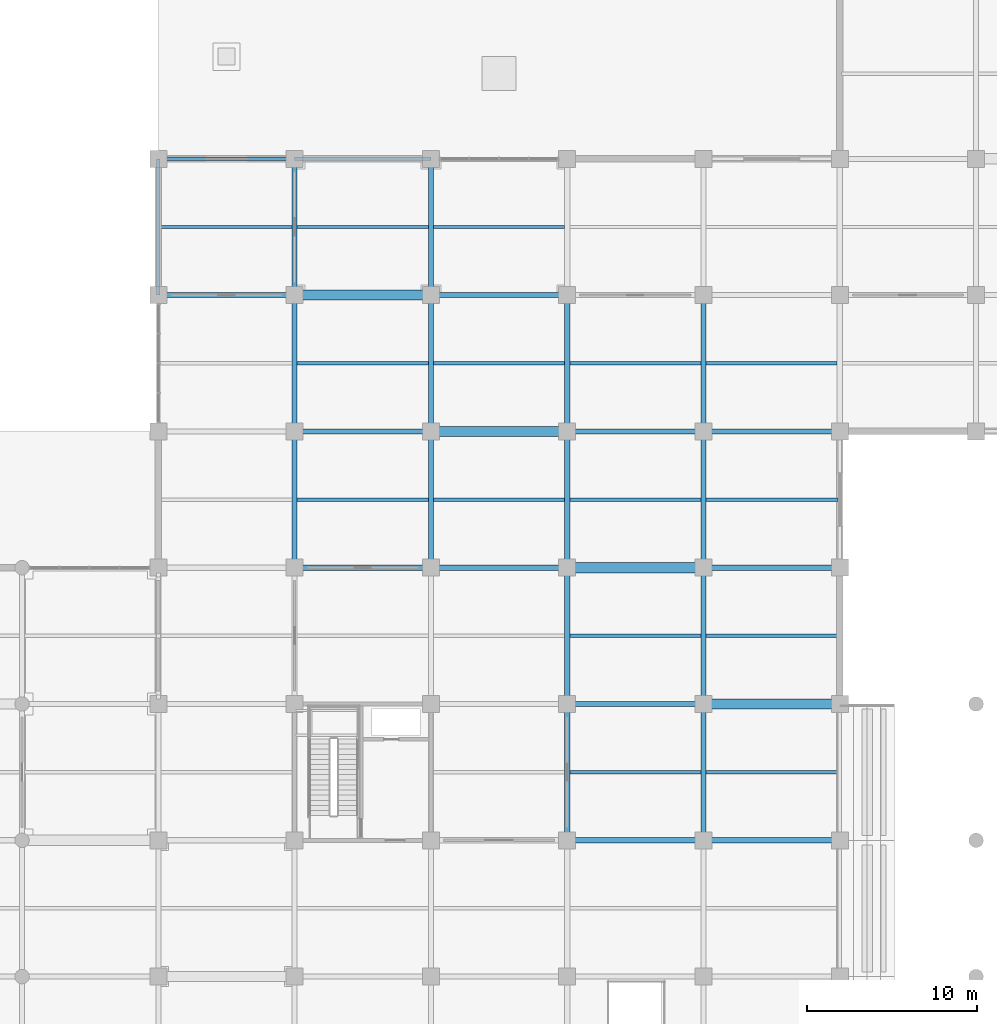
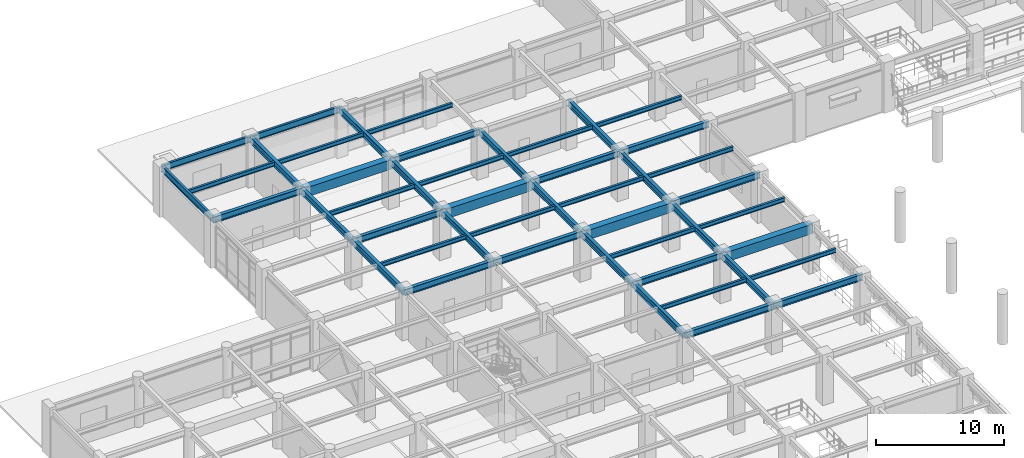
# One storey, part 43 of 117: 47 beams.
"""IFC4 building model written with IfcOpenShell, lengths in metres."""

from ifc_helpers import new_model, si_unit, direction, frame, origin, origin_2d, place, context, subcontext, project, spatial, rectangle, i_section, extrude, material, material_profile, profile_set, type_object, element, save


model = new_model("IFC4")

# Units and contexts
model_context = context("Model", 3, precision=1e-05, world=origin(), true_north=direction((0.0, 1.0)))
body_context = subcontext(model_context, "Body", "Model", "MODEL_VIEW")
ifc_project = project(units=[si_unit("LENGTHUNIT", "METRE"), si_unit("AREAUNIT", "SQUARE_METRE"), si_unit("VOLUMEUNIT", "CUBIC_METRE"), si_unit("PLANEANGLEUNIT", "RADIAN"), si_unit("MASSUNIT", "GRAM", prefix="KILO")], contexts=[model_context])

# Site, building, storey
site_placement = place(None, origin())
site = spatial("IfcSite", under=ifc_project, at=site_placement, CompositionType="ELEMENT")
building_placement = place(site_placement, origin())
building = spatial("IfcBuilding", under=site, at=building_placement, Name="Haebicheon Civic Stadium", CompositionType="ELEMENT")
storey_placement = place(building_placement, frame((0.0, 0.0, 4.800048828125)))
storey = spatial("IfcBuildingStorey", under=building, at=storey_placement, Name="L02", CompositionType="ELEMENT", Elevation=4.800048828125)

# Beams
ifc_material_1 = material(Name="Concrete C40/50", Category="concrete")
ifc_material_profile_1 = material_profile(ifc_material_1, rectangle(XDim=0.60009765625, YDim=0.89990234375, at=origin_2d()), Name="RC-BM-600x900")
ifc_profile_set_1 = profile_set([ifc_material_profile_1], Name="Concrete C40/50")
beam_type_1 = type_object("IfcBeamType", Name="BM-RC-600x900", PredefinedType="BEAM", material=ifc_profile_set_1)
for number, where, z_axis, x_axis, name in (
    (1, (32.0, 160.0, 4.070068359375), (1.0, 0.0, 0.0), (0.0, 1.0, 0.0), "L02 beam W/5-6"),
    (2, (40.0, 152.0, 4.070068359375), (1.0, 0.0, 0.0), (0.0, 1.0, 0.0), "L02 beam V/6-7"),
    (3, (48.0, 144.0, 4.070068359375), (1.0, 0.0, 0.0), (0.0, 1.0, 0.0), "L02 beam U/7-8"),
    (4, (56.0, 136.0, 4.070068359375), (1.0, 0.0, 0.0), (0.0, 1.0, 0.0), "L02 beam T/8-9"),
):
    element("IfcBeam", number, at=place(storey_placement, frame(where, z_axis=z_axis, x_axis=x_axis)), inside=storey, type_object=beam_type_1, material=ifc_profile_set_1, Name=name, PredefinedType="BEAM", context=body_context, shape_type="SweptSolid", body=[
        extrude(rectangle(XDim=0.60009765625, YDim=0.89990234375, at=origin_2d()), origin(), (0.0, 0.0, 1.0), 8.0),
    ])
ifc_material_2 = material(Name="Steel SM355 (S355)", Category="steel")
ifc_material_profile_2 = material_profile(ifc_material_2, i_section(OverallWidth=0.300048828125, OverallDepth=0.60009765625, WebThickness=0.011962890625, FlangeThickness=0.02001953125, at=origin_2d()), Name="H-600x300x12x20")
ifc_profile_set_2 = profile_set([ifc_material_profile_2], Name="Steel SM355 (S355)")
beam_type_2 = type_object("IfcBeamType", Name="BM-ST-H600A", PredefinedType="BEAM", material=ifc_profile_set_2)
for number, where, z_axis, x_axis, name in (
    (5, (32.0, 144.0, 4.219970703125), (0.0, 1.0, 0.0), (-1.0, 0.0, 0.0), "L02 girder 5/U-V"),
    (6, (32.0, 152.0, 4.219970703125), (0.0, 1.0, 0.0), (-1.0, 0.0, 0.0), "L02 girder 5/V-W"),
    (7, (32.0, 160.0, 4.280029296875), (0.0, 1.0, 0.0), (-1.0, 0.0, 0.0), "L02 girder 5/W-X"),
    (8, (40.0, 144.0, 4.219970703125), (0.0, 1.0, 0.0), (-1.0, 0.0, 0.0), "L02 girder 6/U-V"),
    (9, (40.0, 152.0, 4.219970703125), (0.0, 1.0, 0.0), (-1.0, 0.0, 0.0), "L02 girder 6/V-W"),
    (10, (40.0, 160.0, 4.280029296875), (0.0, 1.0, 0.0), (-1.0, 0.0, 0.0), "L02 girder 6/W-X"),
    (11, (48.0, 128.0, 4.219970703125), (0.0, 1.0, 0.0), (-1.0, 0.0, 0.0), "L02 girder 7/S-T"),
    (12, (48.0, 136.0, 4.219970703125), (0.0, 1.0, 0.0), (-1.0, 0.0, 0.0), "L02 girder 7/T-U"),
    (13, (48.0, 144.0, 4.219970703125), (0.0, 1.0, 0.0), (-1.0, 0.0, 0.0), "L02 girder 7/U-V"),
    (14, (48.0, 152.0, 4.219970703125), (0.0, 1.0, 0.0), (-1.0, 0.0, 0.0), "L02 girder 7/V-W"),
    (15, (56.0, 128.0, 4.219970703125), (0.0, 1.0, 0.0), (-1.0, 0.0, 0.0), "L02 girder 8/S-T"),
    (16, (56.0, 136.0, 4.219970703125), (0.0, 1.0, 0.0), (-1.0, 0.0, 0.0), "L02 girder 8/T-U"),
    (17, (56.0, 144.0, 4.219970703125), (0.0, 1.0, 0.0), (-1.0, 0.0, 0.0), "L02 girder 8/U-V"),
    (18, (56.0, 152.0, 4.219970703125), (0.0, 1.0, 0.0), (-1.0, 0.0, 0.0), "L02 girder 8/V-W"),
    (19, (24.0, 160.0, 4.219970703125), (1.0, 0.0, 0.0), (0.0, 1.0, 0.0), "L02 beam W/4-5"),
    (20, (32.0, 144.0, 4.219970703125), (1.0, 0.0, 0.0), (0.0, 1.0, 0.0), "L02 beam U/5-6"),
    (21, (32.0, 152.0, 4.219970703125), (1.0, 0.0, 0.0), (0.0, 1.0, 0.0), "L02 beam V/5-6"),
    (22, (40.0, 144.0, 4.219970703125), (1.0, 0.0, 0.0), (0.0, 1.0, 0.0), "L02 beam U/6-7"),
    (23, (40.0, 160.0, 4.219970703125), (1.0, 0.0, 0.0), (0.0, 1.0, 0.0), "L02 beam W/6-7"),
    (24, (48.0, 128.0, 4.219970703125), (1.0, 0.0, 0.0), (0.0, 1.0, 0.0), "L02 beam S/7-8"),
    (25, (48.0, 136.0, 4.219970703125), (1.0, 0.0, 0.0), (0.0, 1.0, 0.0), "L02 beam T/7-8"),
    (26, (48.0, 152.0, 4.219970703125), (1.0, 0.0, 0.0), (0.0, 1.0, 0.0), "L02 beam V/7-8"),
    (27, (56.0, 128.0, 4.219970703125), (1.0, 0.0, 0.0), (0.0, 1.0, 0.0), "L02 beam S/8-9"),
    (28, (56.0, 144.0, 4.219970703125), (1.0, 0.0, 0.0), (0.0, 1.0, 0.0), "L02 beam U/8-9"),
    (29, (56.0, 152.0, 4.219970703125), (1.0, 0.0, 0.0), (0.0, 1.0, 0.0), "L02 beam V/8-9"),
):
    element("IfcBeam", number, at=place(storey_placement, frame(where, z_axis=z_axis, x_axis=x_axis)), inside=storey, type_object=beam_type_2, material=ifc_profile_set_2, Name=name, PredefinedType="BEAM", context=body_context, shape_type="SweptSolid", body=[
        extrude(i_section(OverallWidth=0.300048828125, OverallDepth=0.60009765625, WebThickness=0.011962890625, FlangeThickness=0.02001953125, at=origin_2d()), origin(), (0.0, 0.0, 1.0), 8.0),
    ])
ifc_material_3 = material(Name="Steel SM355 (S355)", Category="steel")
ifc_material_profile_3 = material_profile(ifc_material_3, i_section(OverallWidth=0.199951171875, OverallDepth=0.39990234375, WebThickness=0.008056640625, FlangeThickness=0.012939453125, at=origin_2d()), Name="H-400x200x8x13")
ifc_profile_set_3 = profile_set([ifc_material_profile_3], Name="Steel SM355 (S355)")
beam_type_3 = type_object("IfcBeamType", Name="JST-ST-H400", PredefinedType="JOIST", material=ifc_profile_set_3)
beam_1_placement = place(storey_placement, frame((24.10009765625, 164.0, 4.3798828125), z_axis=(1.0, 0.0, 0.0), x_axis=(0.0, 1.0, 0.0)))
element("IfcBeam", 30, at=beam_1_placement, inside=storey, type_object=beam_type_3, material=ifc_profile_set_3, Name="L02 secondary joist 03-20", PredefinedType="JOIST", context=body_context, shape_type="SweptSolid", body=[
    extrude(i_section(OverallWidth=0.199951171875, OverallDepth=0.39990234375, WebThickness=0.008056640625, FlangeThickness=0.012939453125, at=origin_2d()), origin(), (0.0, 0.0, 1.0), 7.75),
])
for number, where, z_axis, x_axis, name in (
    (31, (32.14990234375, 148.0, 4.320068359375), (1.0, 0.0, 0.0), (0.0, 1.0, 0.0), "L02 secondary joist 04-18"),
    (32, (32.14990234375, 156.0, 4.320068359375), (1.0, 0.0, 0.0), (0.0, 1.0, 0.0), "L02 secondary joist 04-19"),
    (33, (32.14990234375, 164.0, 4.3798828125), (1.0, 0.0, 0.0), (0.0, 1.0, 0.0), "L02 secondary joist 04-20"),
    (34, (40.14990234375, 148.0, 4.320068359375), (1.0, 0.0, 0.0), (0.0, 1.0, 0.0), "L02 secondary joist 05-18"),
    (35, (40.14990234375, 156.0, 4.320068359375), (1.0, 0.0, 0.0), (0.0, 1.0, 0.0), "L02 secondary joist 05-19"),
    (36, (40.14990234375, 164.0, 4.3798828125), (1.0, 0.0, 0.0), (0.0, 1.0, 0.0), "L02 secondary joist 05-20"),
    (37, (48.14990234375, 132.0, 4.320068359375), (1.0, 0.0, 0.0), (0.0, 1.0, 0.0), "L02 secondary joist 06-16"),
    (38, (48.14990234375, 140.0, 4.320068359375), (1.0, 0.0, 0.0), (0.0, 1.0, 0.0), "L02 secondary joist 06-17"),
    (39, (48.14990234375, 148.0, 4.320068359375), (1.0, 0.0, 0.0), (0.0, 1.0, 0.0), "L02 secondary joist 06-18"),
    (40, (48.14990234375, 156.0, 4.320068359375), (1.0, 0.0, 0.0), (0.0, 1.0, 0.0), "L02 secondary joist 06-19"),
):
    element("IfcBeam", number, at=place(storey_placement, frame(where, z_axis=z_axis, x_axis=x_axis)), inside=storey, type_object=beam_type_3, material=ifc_profile_set_3, Name=name, PredefinedType="JOIST", context=body_context, shape_type="SweptSolid", body=[
        extrude(i_section(OverallWidth=0.199951171875, OverallDepth=0.39990234375, WebThickness=0.008056640625, FlangeThickness=0.012939453125, at=origin_2d()), origin(), (0.0, 0.0, 1.0), 7.7001953125),
    ])
for number, where, z_axis, x_axis, name in (
    (41, (56.14990234375, 132.0, 4.320068359375), (1.0, 0.0, 0.0), (0.0, 1.0, 0.0), "L02 secondary joist 07-16"),
    (42, (56.14990234375, 140.0, 4.320068359375), (1.0, 0.0, 0.0), (0.0, 1.0, 0.0), "L02 secondary joist 07-17"),
    (43, (56.14990234375, 148.0, 4.320068359375), (1.0, 0.0, 0.0), (0.0, 1.0, 0.0), "L02 secondary joist 07-18"),
):
    element("IfcBeam", number, at=place(storey_placement, frame(where, z_axis=z_axis, x_axis=x_axis)), inside=storey, type_object=beam_type_3, material=ifc_profile_set_3, Name=name, PredefinedType="JOIST", context=body_context, shape_type="SweptSolid", body=[
        extrude(i_section(OverallWidth=0.199951171875, OverallDepth=0.39990234375, WebThickness=0.008056640625, FlangeThickness=0.012939453125, at=origin_2d()), origin(), (0.0, 0.0, 1.0), 7.75),
    ])
beam_2_placement = place(storey_placement, frame((56.14990234375, 156.0, 4.320068359375), z_axis=(1.0, 0.0, 0.0), x_axis=(0.0, 1.0, 0.0)))
element("IfcBeam", 44, at=beam_2_placement, inside=storey, type_object=beam_type_3, material=ifc_profile_set_3, Name="L02 secondary joist 07-19", PredefinedType="JOIST", context=body_context, shape_type="SweptSolid", body=[
    extrude(i_section(OverallWidth=0.199951171875, OverallDepth=0.39990234375, WebThickness=0.008056640625, FlangeThickness=0.012939453125, at=origin_2d()), origin(), (0.0, 0.0, 1.0), 7.7001953125),
])
ifc_material_4 = material(Name="Steel SM355 (S355)", Category="steel")
ifc_material_profile_4 = material_profile(ifc_material_4, i_section(OverallWidth=0.199951171875, OverallDepth=0.60009765625, WebThickness=0.010986328125, FlangeThickness=0.01708984375, at=origin_2d()), Name="H-600x200x11x17")
ifc_profile_set_4 = profile_set([ifc_material_profile_4], Name="Steel SM355 (S355)")
beam_type_4 = type_object("IfcBeamType", Name="SPD-ST-H600B", PredefinedType="SPANDREL", material=ifc_profile_set_4)
for number, where, z_axis, x_axis, name in (
    (45, (24.0, 160.0, 4.280029296875), (0.0, 1.0, 0.0), (-1.0, 0.0, 0.0), "L02 girder 4/W-X"),
    (46, (24.0, 168.0, 4.280029296875), (1.0, 0.0, 0.0), (0.0, 1.0, 0.0), "L02 beam X/4-5"),
    (47, (32.0, 168.0, 4.280029296875), (1.0, 0.0, 0.0), (0.0, 1.0, 0.0), "L02 beam X/5-6"),
):
    element("IfcBeam", number, at=place(storey_placement, frame(where, z_axis=z_axis, x_axis=x_axis)), inside=storey, type_object=beam_type_4, material=ifc_profile_set_4, Name=name, PredefinedType="SPANDREL", context=body_context, shape_type="SweptSolid", body=[
        extrude(i_section(OverallWidth=0.199951171875, OverallDepth=0.60009765625, WebThickness=0.010986328125, FlangeThickness=0.01708984375, at=origin_2d()), origin(), (0.0, 0.0, 1.0), 8.0),
    ])

save(model, "model.ifc")
